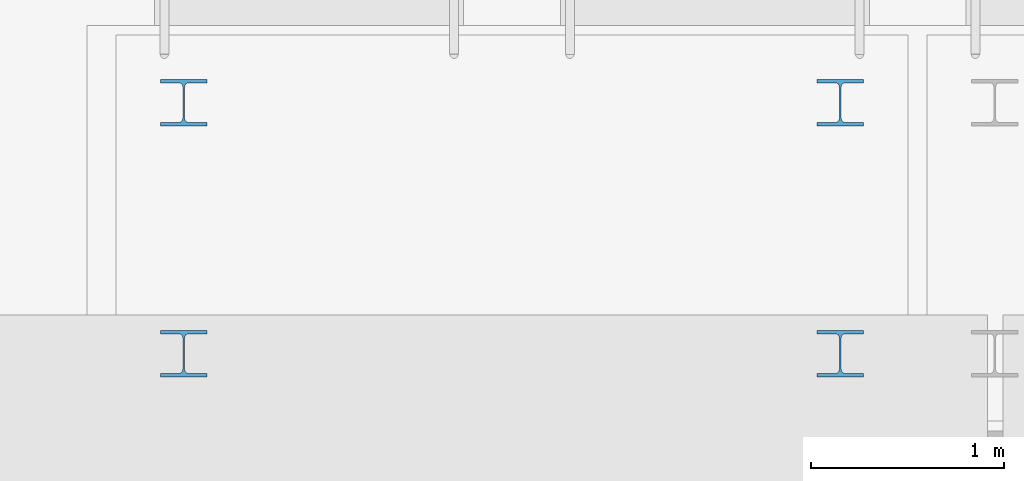
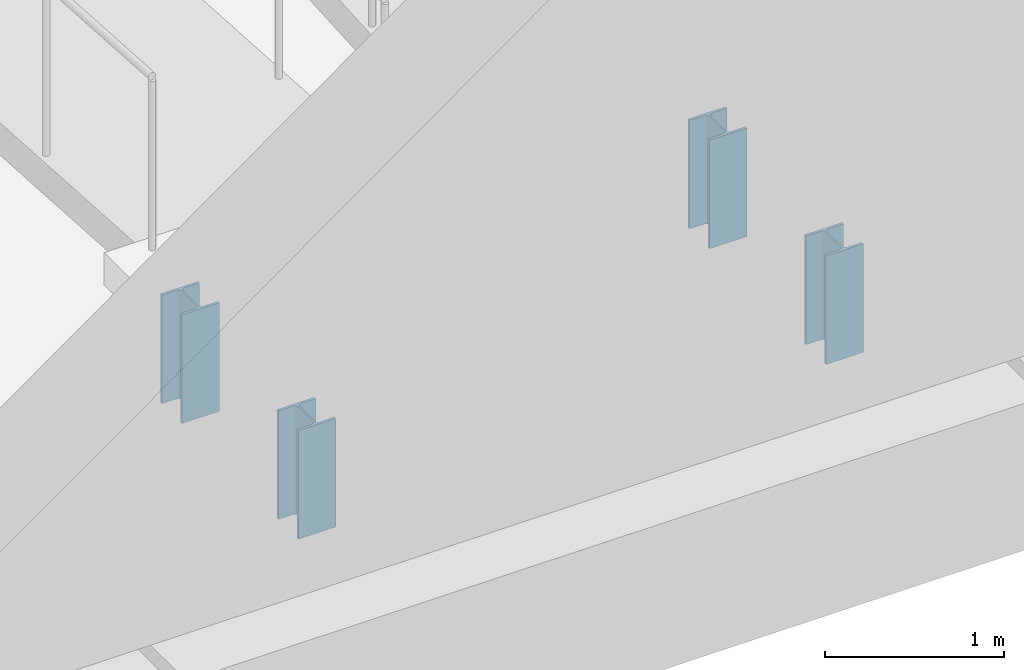
# One storey, part 21 of 38: 4 columns.
"""IFC4 building model written with IfcOpenShell, lengths in metres."""

from ifc_helpers import new_model, si_unit, direction, frame, origin, origin_2d, place, context, subcontext, project, spatial, i_section, extrude, material, material_profile, profile_set, type_object, element, save


model = new_model("IFC4")

# Units and contexts
model_context = context("Model", 3, precision=1e-05, world=origin(), true_north=direction((0.0, 1.0)))
body_context = subcontext(model_context, "Body", "Model", "MODEL_VIEW")
ifc_project = project(units=[si_unit("LENGTHUNIT", "METRE"), si_unit("AREAUNIT", "SQUARE_METRE"), si_unit("VOLUMEUNIT", "CUBIC_METRE"), si_unit("PLANEANGLEUNIT", "RADIAN"), si_unit("MASSUNIT", "GRAM", prefix="KILO")], contexts=[model_context])

# Site, building, storey
site_placement = place(None, origin())
site = spatial("IfcSite", under=ifc_project, at=site_placement, CompositionType="ELEMENT")
building_placement = place(site_placement, origin())
building = spatial("IfcBuilding", under=site, at=building_placement, Name="Valkovuoma Quantum and Materials Research Institute", CompositionType="ELEMENT")
storey_placement = place(building_placement, frame((0.0, 0.0, -4.800048828125)))
storey = spatial("IfcBuildingStorey", under=building, at=storey_placement, Name="B1", CompositionType="ELEMENT", Elevation=-4.800048828125)

# Columns
ifc_material = material(Name="Steel S355J2", Category="steel")
ifc_material_profile = material_profile(ifc_material, i_section(OverallWidth=0.239990234375, OverallDepth=0.239990234375, WebThickness=0.010009765625, FlangeThickness=0.01708984375, FilletRadius=0.02099609375, at=origin_2d()), Name="Steel S355J2")
ifc_profile_set = profile_set([ifc_material_profile], Name="Steel S355J2")
column_type = type_object("IfcColumnType", Name="Col-C-STL240", PredefinedType="COLUMN", material=ifc_profile_set)
for number, where, z_axis, x_axis, name in (
    (1, (72.550048828125, 7.60009765625, 0.0), (0.0, 0.0, 1.0), (1.0, 0.0, 0.0), "Forecourt ramp support post 1-1"),
    (2, (72.550048828125, 8.89990234375, 0.0), (0.0, 0.0, 1.0), (1.0, 0.0, 0.0), "Forecourt ramp support post 1-2"),
    (3, (75.949951171875, 7.60009765625, 0.0), (0.0, 0.0, 1.0), (1.0, 0.0, 0.0), "Forecourt ramp support post 1-3"),
    (4, (75.949951171875, 8.89990234375, 0.0), (0.0, 0.0, 1.0), (1.0, 0.0, 0.0), "Forecourt ramp support post 1-4"),
):
    element("IfcColumn", number, at=place(storey_placement, frame(where, z_axis=z_axis, x_axis=x_axis)), inside=storey, type_object=column_type, Name=name, PredefinedType="COLUMN", context=body_context, shape_type="SweptSolid", body=[
        extrude(i_section(OverallWidth=0.239990234375, OverallDepth=0.239990234375, WebThickness=0.010009765625, FlangeThickness=0.01708984375, FilletRadius=0.02099609375, at=origin_2d()), origin(), (0.0, 0.0, 1.0), 0.739990234375),
    ])

save(model, "model.ifc")
